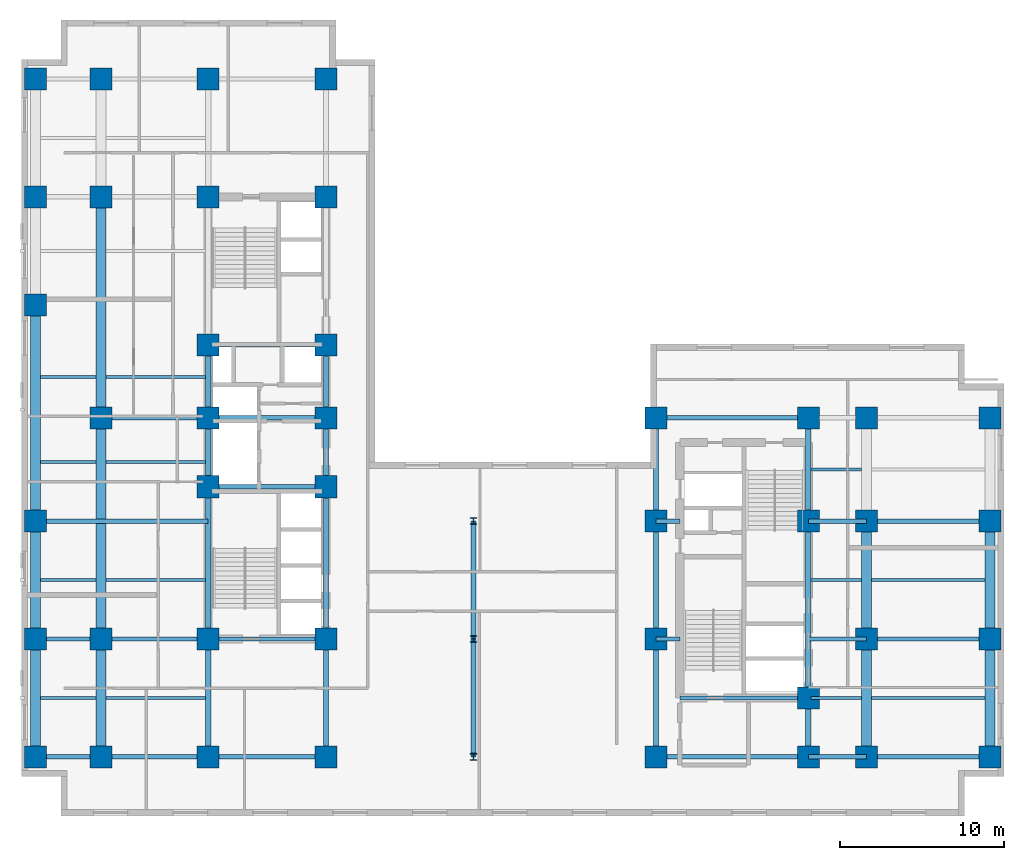
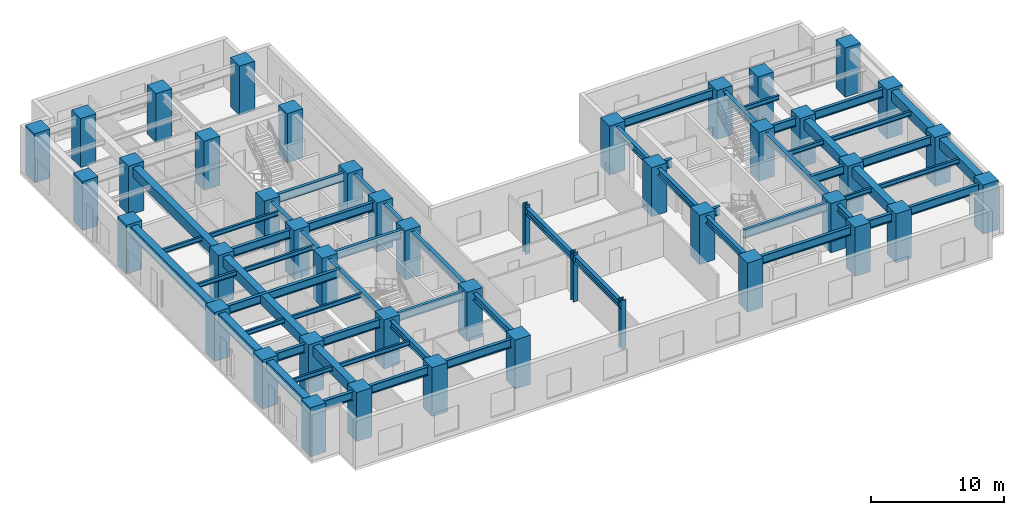
# One storey, part 1 of 9: 61 beams, 44 columns.
"""IFC4 building model written with IfcOpenShell, lengths in metres."""

from ifc_helpers import new_model, entity, si_unit, converted_unit, direction, frame, origin_with_axes, origin_2d_with_axis, place, context, subcontext, project, spatial, rectangle, i_section, extrude, material, material_profile, profile_set, type_object, element, save


model = new_model("IFC4")

# Units and contexts
model_context = context("Model", 3, precision=1e-05, world=origin_with_axes(), true_north=direction((0.0, 1.0)))
body_context = subcontext(model_context, "Body", "Model", "MODEL_VIEW")
ifc_project = project(units=[si_unit("LENGTHUNIT", "METRE"), si_unit("AREAUNIT", "SQUARE_METRE"), si_unit("VOLUMEUNIT", "CUBIC_METRE"), converted_unit("PLANEANGLEUNIT", "DEGREE", entity("IfcPlaneAngleMeasure", 0.017453292519943295), si_unit("PLANEANGLEUNIT", "RADIAN"), dimensions=[0, 0, 0, 0, 0, 0, 0]), si_unit("MASSUNIT", "GRAM", prefix="KILO"), si_unit("THERMODYNAMICTEMPERATUREUNIT", "KELVIN")], contexts=[model_context])

# Site, building, storey
site_placement = place(None, origin_with_axes())
site = spatial("IfcSite", under=ifc_project, at=site_placement, CompositionType="ELEMENT")
building_placement = place(site_placement, origin_with_axes())
building = spatial("IfcBuilding", under=site, at=building_placement, Name="Varnlund Millrace Tower", CompositionType="ELEMENT")
storey_placement = place(building_placement, frame((0.0, 0.0, 84.6), z_axis=(0.0, 0.0, 1.0), x_axis=(1.0, 0.0, 0.0)))
storey = spatial("IfcBuildingStorey", under=building, at=storey_placement, Name="L20", CompositionType="ELEMENT", Elevation=84.6)

# Columns
ifc_material_1 = material(Name="Steel ASTM A913 Grade 65", Category="steel")
ifc_material_profile_1 = material_profile(ifc_material_1, i_section(OverallWidth=0.406, OverallDepth=0.416, WebThickness=0.0298, FlangeThickness=0.048, FilletRadius=0.022, at=origin_2d_with_axis()), Name="Steel ASTM A913 Grade 65")
ifc_profile_set_1 = profile_set([ifc_material_profile_1], Name="Steel ASTM A913 Grade 65")
column_type_1 = type_object("IfcColumnType", Name="Type-Col-Int-W14X257", PredefinedType="COLUMN", material=ifc_profile_set_1)
for number, where, z_axis, x_axis, name in (
    (1, (27.6, 3.6, 0.0), (0.0, 0.0, 1.0), (1.0, 0.0, 0.0), "Type-Col-Int-W14X257"),
    (2, (27.6, 10.8, 0.0), (0.0, 0.0, 1.0), (1.0, 0.0, 0.0), "Type-Col-Int-W14X257"),
    (3, (27.6, 18.0, 0.0), (0.0, 0.0, 1.0), (1.0, 0.0, 0.0), "Type-Col-Int-W14X257"),
):
    element("IfcColumn", number, at=place(storey_placement, frame(where, z_axis=z_axis, x_axis=x_axis)), inside=storey, type_object=column_type_1, Name=name, PredefinedType="COLUMN", context=body_context, shape_type="SweptSolid", body=[
        extrude(i_section(OverallWidth=0.406, OverallDepth=0.416, WebThickness=0.0298, FlangeThickness=0.048, FilletRadius=0.022, at=origin_2d_with_axis()), origin_with_axes(), (0.0, 0.0, 1.0), 4.5),
    ])
ifc_material_2 = material(Name="Concrete C80/95", Category="concrete")
ifc_material_profile_2 = material_profile(ifc_material_2, rectangle(XDim=1.35, YDim=1.35, at=origin_2d_with_axis()), Name="Concrete C80/95")
ifc_profile_set_2 = profile_set([ifc_material_profile_2], Name="Concrete C80/95")
column_type_2 = type_object("IfcColumnType", Name="Type-Col-RC1350-C80", PredefinedType="COLUMN", material=ifc_profile_set_2)
for number, where, z_axis, x_axis, name in (
    (4, (11.4, 3.6, 0.0), (0.0, 0.0, 1.0), (1.0, 0.0, 0.0), "Type-Col-RC1350-C80"),
    (5, (11.4, 10.8, 0.0), (0.0, 0.0, 1.0), (1.0, 0.0, 0.0), "Type-Col-RC1350-C80"),
    (6, (11.4, 20.1, 0.0), (0.0, 0.0, 1.0), (1.0, 0.0, 0.0), "Type-Col-RC1350-C80"),
    (7, (11.4, 24.3, 0.0), (0.0, 0.0, 1.0), (1.0, 0.0, 0.0), "Type-Col-RC1350-C80"),
    (8, (11.4, 28.75, 0.0), (0.0, 0.0, 1.0), (1.0, 0.0, 0.0), "Type-Col-RC1350-C80"),
    (9, (11.4, 37.8, 0.0), (0.0, 0.0, 1.0), (1.0, 0.0, 0.0), "Type-Col-RC1350-C80"),
    (10, (11.4, 45.0, 0.0), (0.0, 0.0, 1.0), (1.0, 0.0, 0.0), "Type-Col-RC1350-C80"),
    (11, (18.6, 3.6, 0.0), (0.0, 0.0, 1.0), (1.0, 0.0, 0.0), "Type-Col-RC1350-C80"),
    (12, (18.6, 10.8, 0.0), (0.0, 0.0, 1.0), (1.0, 0.0, 0.0), "Type-Col-RC1350-C80"),
    (13, (18.6, 20.1, 0.0), (0.0, 0.0, 1.0), (1.0, 0.0, 0.0), "Type-Col-RC1350-C80"),
    (14, (18.6, 24.3, 0.0), (0.0, 0.0, 1.0), (1.0, 0.0, 0.0), "Type-Col-RC1350-C80"),
    (15, (18.6, 28.75, 0.0), (0.0, 0.0, 1.0), (1.0, 0.0, 0.0), "Type-Col-RC1350-C80"),
    (16, (18.6, 37.8, 0.0), (0.0, 0.0, 1.0), (1.0, 0.0, 0.0), "Type-Col-RC1350-C80"),
    (17, (18.6, 45.0, 0.0), (0.0, 0.0, 1.0), (1.0, 0.0, 0.0), "Type-Col-RC1350-C80"),
    (18, (4.85, 3.6, 0.0), (0.0, 0.0, 1.0), (1.0, 0.0, 0.0), "Type-Col-RC1350-C80"),
    (19, (4.85, 10.8, 0.0), (0.0, 0.0, 1.0), (1.0, 0.0, 0.0), "Type-Col-RC1350-C80"),
    (20, (4.85, 24.3, 0.0), (0.0, 0.0, 1.0), (1.0, 0.0, 0.0), "Type-Col-RC1350-C80"),
    (21, (4.85, 37.8, 0.0), (0.0, 0.0, 1.0), (1.0, 0.0, 0.0), "Type-Col-RC1350-C80"),
    (22, (4.85, 45.0, 0.0), (0.0, 0.0, 1.0), (1.0, 0.0, 0.0), "Type-Col-RC1350-C80"),
    (23, (0.85, 3.6, 0.0), (0.0, 0.0, 1.0), (1.0, 0.0, 0.0), "Type-Col-RC1350-C80"),
    (24, (0.85, 10.8, 0.0), (0.0, 0.0, 1.0), (1.0, 0.0, 0.0), "Type-Col-RC1350-C80"),
    (25, (0.85, 18.0, 0.0), (0.0, 0.0, 1.0), (1.0, 0.0, 0.0), "Type-Col-RC1350-C80"),
    (26, (0.85, 31.2, 0.0), (0.0, 0.0, 1.0), (1.0, 0.0, 0.0), "Type-Col-RC1350-C80"),
    (27, (0.85, 37.8, 0.0), (0.0, 0.0, 1.0), (1.0, 0.0, 0.0), "Type-Col-RC1350-C80"),
    (28, (0.85, 45.0, 0.0), (0.0, 0.0, 1.0), (1.0, 0.0, 0.0), "Type-Col-RC1350-C80"),
    (29, (38.75, 3.6, 0.0), (0.0, 0.0, 1.0), (1.0, 0.0, 0.0), "Type-Col-RC1350-C80"),
    (30, (38.75, 10.8, 0.0), (0.0, 0.0, 1.0), (1.0, 0.0, 0.0), "Type-Col-RC1350-C80"),
    (31, (38.75, 18.0, 0.0), (0.0, 0.0, 1.0), (1.0, 0.0, 0.0), "Type-Col-RC1350-C80"),
    (32, (38.75, 24.3, 0.0), (0.0, 0.0, 1.0), (1.0, 0.0, 0.0), "Type-Col-RC1350-C80"),
    (33, (48.05, 3.6, 0.0), (0.0, 0.0, 1.0), (1.0, 0.0, 0.0), "Type-Col-RC1350-C80"),
    (34, (48.05, 7.2, 0.0), (0.0, 0.0, 1.0), (1.0, 0.0, 0.0), "Type-Col-RC1350-C80"),
    (35, (48.05, 18.0, 0.0), (0.0, 0.0, 1.0), (1.0, 0.0, 0.0), "Type-Col-RC1350-C80"),
    (36, (48.05, 24.3, 0.0), (0.0, 0.0, 1.0), (1.0, 0.0, 0.0), "Type-Col-RC1350-C80"),
    (37, (51.6, 3.6, 0.0), (0.0, 0.0, 1.0), (1.0, 0.0, 0.0), "Type-Col-RC1350-C80"),
    (38, (51.6, 10.8, 0.0), (0.0, 0.0, 1.0), (1.0, 0.0, 0.0), "Type-Col-RC1350-C80"),
    (39, (51.6, 18.0, 0.0), (0.0, 0.0, 1.0), (1.0, 0.0, 0.0), "Type-Col-RC1350-C80"),
    (40, (51.6, 24.3, 0.0), (0.0, 0.0, 1.0), (1.0, 0.0, 0.0), "Type-Col-RC1350-C80"),
    (41, (59.15, 3.6, 0.0), (0.0, 0.0, 1.0), (1.0, 0.0, 0.0), "Type-Col-RC1350-C80"),
    (42, (59.15, 10.8, 0.0), (0.0, 0.0, 1.0), (1.0, 0.0, 0.0), "Type-Col-RC1350-C80"),
    (43, (59.15, 18.0, 0.0), (0.0, 0.0, 1.0), (1.0, 0.0, 0.0), "Type-Col-RC1350-C80"),
    (44, (59.15, 24.3, 0.0), (0.0, 0.0, 1.0), (1.0, 0.0, 0.0), "Type-Col-RC1350-C80"),
):
    element("IfcColumn", number, at=place(storey_placement, frame(where, z_axis=z_axis, x_axis=x_axis)), inside=storey, type_object=column_type_2, Name=name, PredefinedType="COLUMN", context=body_context, shape_type="SweptSolid", body=[
        extrude(rectangle(XDim=1.35, YDim=1.35, at=origin_2d_with_axis()), origin_with_axes(), (0.0, 0.0, 1.0), 4.5),
    ])

# Beams
ifc_material_3 = material(Name="Steel ASTM A992 Grade 50", Category="steel")
ifc_material_profile_3 = material_profile(ifc_material_3, i_section(OverallWidth=0.328, OverallDepth=0.628, WebThickness=0.0165, FlangeThickness=0.0277, FilletRadius=0.018, at=origin_2d_with_axis()), Name="Steel ASTM A992 Grade 50")
ifc_profile_set_3 = profile_set([ifc_material_profile_3], Name="Steel ASTM A992 Grade 50")
beam_type_1 = type_object("IfcBeamType", Name="Type-Girder-W24X146", PredefinedType="USERDEFINED", material=ifc_profile_set_3)
beam_1_placement = place(storey_placement, frame((11.4, 3.6, 3.946), z_axis=(0.0, 1.0, 0.0), x_axis=(-1.0, 0.0, 0.0)))
element("IfcBeam", 45, at=beam_1_placement, inside=storey, type_object=beam_type_1, Name="Type-Girder-W24X146", ObjectType="GIRDER", PredefinedType="USERDEFINED", context=body_context, shape_type="SweptSolid", body=[
    extrude(i_section(OverallWidth=0.328, OverallDepth=0.628, WebThickness=0.0165, FlangeThickness=0.0277, FilletRadius=0.018, at=origin_2d_with_axis()), origin_with_axes(), (0.0, 0.0, 1.0), 7.2),
])
beam_2_placement = place(storey_placement, frame((11.4, 10.8, 3.946), z_axis=(0.0, 1.0, 0.0), x_axis=(-1.0, 0.0, 0.0)))
element("IfcBeam", 46, at=beam_2_placement, inside=storey, type_object=beam_type_1, Name="Type-Girder-W24X146", ObjectType="GIRDER", PredefinedType="USERDEFINED", context=body_context, shape_type="SweptSolid", body=[
    extrude(i_section(OverallWidth=0.328, OverallDepth=0.628, WebThickness=0.0165, FlangeThickness=0.0277, FilletRadius=0.018, at=origin_2d_with_axis()), origin_with_axes(), (0.0, 0.0, 1.0), 9.3),
])
beam_3_placement = place(storey_placement, frame((11.4, 20.1, 3.946), z_axis=(0.0, 1.0, 0.0), x_axis=(-1.0, 0.0, 0.0)))
element("IfcBeam", 47, at=beam_3_placement, inside=storey, type_object=beam_type_1, Name="Type-Girder-W24X146", ObjectType="GIRDER", PredefinedType="USERDEFINED", context=body_context, shape_type="SweptSolid", body=[
    extrude(i_section(OverallWidth=0.328, OverallDepth=0.628, WebThickness=0.0165, FlangeThickness=0.0277, FilletRadius=0.018, at=origin_2d_with_axis()), origin_with_axes(), (0.0, 0.0, 1.0), 4.2),
])
beam_4_placement = place(storey_placement, frame((11.4, 24.3, 3.946), z_axis=(0.0, 1.0, 0.0), x_axis=(-1.0, 0.0, 0.0)))
element("IfcBeam", 48, at=beam_4_placement, inside=storey, type_object=beam_type_1, Name="Type-Girder-W24X146", ObjectType="GIRDER", PredefinedType="USERDEFINED", context=body_context, shape_type="SweptSolid", body=[
    extrude(i_section(OverallWidth=0.328, OverallDepth=0.628, WebThickness=0.0165, FlangeThickness=0.0277, FilletRadius=0.018, at=origin_2d_with_axis()), origin_with_axes(), (0.0, 0.0, 1.0), 4.45),
])
beam_5_placement = place(storey_placement, frame((18.6, 3.6, 3.946), z_axis=(0.0, 1.0, 0.0), x_axis=(-1.0, 0.0, 0.0)))
element("IfcBeam", 49, at=beam_5_placement, inside=storey, type_object=beam_type_1, Name="Type-Girder-W24X146", ObjectType="GIRDER", PredefinedType="USERDEFINED", context=body_context, shape_type="SweptSolid", body=[
    extrude(i_section(OverallWidth=0.328, OverallDepth=0.628, WebThickness=0.0165, FlangeThickness=0.0277, FilletRadius=0.018, at=origin_2d_with_axis()), origin_with_axes(), (0.0, 0.0, 1.0), 7.2),
])
beam_6_placement = place(storey_placement, frame((18.6, 10.8, 3.946), z_axis=(0.0, 1.0, 0.0), x_axis=(-1.0, 0.0, 0.0)))
element("IfcBeam", 50, at=beam_6_placement, inside=storey, type_object=beam_type_1, Name="Type-Girder-W24X146", ObjectType="GIRDER", PredefinedType="USERDEFINED", context=body_context, shape_type="SweptSolid", body=[
    extrude(i_section(OverallWidth=0.328, OverallDepth=0.628, WebThickness=0.0165, FlangeThickness=0.0277, FilletRadius=0.018, at=origin_2d_with_axis()), origin_with_axes(), (0.0, 0.0, 1.0), 9.3),
])
beam_7_placement = place(storey_placement, frame((18.6, 20.1, 3.946), z_axis=(0.0, 1.0, 0.0), x_axis=(-1.0, 0.0, 0.0)))
element("IfcBeam", 51, at=beam_7_placement, inside=storey, type_object=beam_type_1, Name="Type-Girder-W24X146", ObjectType="GIRDER", PredefinedType="USERDEFINED", context=body_context, shape_type="SweptSolid", body=[
    extrude(i_section(OverallWidth=0.328, OverallDepth=0.628, WebThickness=0.0165, FlangeThickness=0.0277, FilletRadius=0.018, at=origin_2d_with_axis()), origin_with_axes(), (0.0, 0.0, 1.0), 4.2),
])
beam_8_placement = place(storey_placement, frame((18.6, 24.3, 3.946), z_axis=(0.0, 1.0, 0.0), x_axis=(-1.0, 0.0, 0.0)))
element("IfcBeam", 52, at=beam_8_placement, inside=storey, type_object=beam_type_1, Name="Type-Girder-W24X146", ObjectType="GIRDER", PredefinedType="USERDEFINED", context=body_context, shape_type="SweptSolid", body=[
    extrude(i_section(OverallWidth=0.328, OverallDepth=0.628, WebThickness=0.0165, FlangeThickness=0.0277, FilletRadius=0.018, at=origin_2d_with_axis()), origin_with_axes(), (0.0, 0.0, 1.0), 4.45),
])
for number, where, z_axis, x_axis, name in (
    (53, (27.6, 3.6, 3.946), (0.0, 1.0, 0.0), (-1.0, 0.0, 0.0), "Type-Girder-W24X146"),
    (54, (27.6, 10.8, 3.946), (0.0, 1.0, 0.0), (-1.0, 0.0, 0.0), "Type-Girder-W24X146"),
    (55, (38.75, 3.6, 3.946), (0.0, 1.0, 0.0), (-1.0, 0.0, 0.0), "Type-Girder-W24X146"),
    (56, (38.75, 10.8, 3.946), (0.0, 1.0, 0.0), (-1.0, 0.0, 0.0), "Type-Girder-W24X146"),
):
    element("IfcBeam", number, at=place(storey_placement, frame(where, z_axis=z_axis, x_axis=x_axis)), inside=storey, type_object=beam_type_1, Name=name, ObjectType="GIRDER", PredefinedType="USERDEFINED", context=body_context, shape_type="SweptSolid", body=[
        extrude(i_section(OverallWidth=0.328, OverallDepth=0.628, WebThickness=0.0165, FlangeThickness=0.0277, FilletRadius=0.018, at=origin_2d_with_axis()), origin_with_axes(), (0.0, 0.0, 1.0), 7.2),
    ])
beam_9_placement = place(storey_placement, frame((38.75, 18.0, 3.946), z_axis=(0.0, 1.0, 0.0), x_axis=(-1.0, 0.0, 0.0)))
element("IfcBeam", 57, at=beam_9_placement, inside=storey, type_object=beam_type_1, Name="Type-Girder-W24X146", ObjectType="GIRDER", PredefinedType="USERDEFINED", context=body_context, shape_type="SweptSolid", body=[
    extrude(i_section(OverallWidth=0.328, OverallDepth=0.628, WebThickness=0.0165, FlangeThickness=0.0277, FilletRadius=0.018, at=origin_2d_with_axis()), origin_with_axes(), (0.0, 0.0, 1.0), 6.3),
])
beam_10_placement = place(storey_placement, frame((48.05, 3.6, 3.946), z_axis=(0.0, 1.0, 0.0), x_axis=(-1.0, 0.0, 0.0)))
element("IfcBeam", 58, at=beam_10_placement, inside=storey, type_object=beam_type_1, Name="Type-Girder-W24X146", ObjectType="GIRDER", PredefinedType="USERDEFINED", context=body_context, shape_type="SweptSolid", body=[
    extrude(i_section(OverallWidth=0.328, OverallDepth=0.628, WebThickness=0.0165, FlangeThickness=0.0277, FilletRadius=0.018, at=origin_2d_with_axis()), origin_with_axes(), (0.0, 0.0, 1.0), 3.6),
])
beam_11_placement = place(storey_placement, frame((48.05, 7.2, 3.946), z_axis=(0.0, 1.0, 0.0), x_axis=(-1.0, 0.0, 0.0)))
element("IfcBeam", 59, at=beam_11_placement, inside=storey, type_object=beam_type_1, Name="Type-Girder-W24X146", ObjectType="GIRDER", PredefinedType="USERDEFINED", context=body_context, shape_type="SweptSolid", body=[
    extrude(i_section(OverallWidth=0.328, OverallDepth=0.628, WebThickness=0.0165, FlangeThickness=0.0277, FilletRadius=0.018, at=origin_2d_with_axis()), origin_with_axes(), (0.0, 0.0, 1.0), 10.8),
])
beam_12_placement = place(storey_placement, frame((48.05, 18.0, 3.946), z_axis=(0.0, 1.0, 0.0), x_axis=(-1.0, 0.0, 0.0)))
element("IfcBeam", 60, at=beam_12_placement, inside=storey, type_object=beam_type_1, Name="Type-Girder-W24X146", ObjectType="GIRDER", PredefinedType="USERDEFINED", context=body_context, shape_type="SweptSolid", body=[
    extrude(i_section(OverallWidth=0.328, OverallDepth=0.628, WebThickness=0.0165, FlangeThickness=0.0277, FilletRadius=0.018, at=origin_2d_with_axis()), origin_with_axes(), (0.0, 0.0, 1.0), 6.3),
])
ifc_material_profile_4 = material_profile(ifc_material_3, i_section(OverallWidth=0.266, OverallDepth=0.779, WebThickness=0.0165, FlangeThickness=0.03, FilletRadius=0.02, at=origin_2d_with_axis()), Name="Steel ASTM A992 Grade 50")
ifc_profile_set_4 = profile_set([ifc_material_profile_4], Name="Steel ASTM A992 Grade 50")
beam_type_2 = type_object("IfcBeamType", Name="Type-Girder-W30X148", PredefinedType="USERDEFINED", material=ifc_profile_set_4)
beam_13_placement = place(storey_placement, frame((0.85, 3.6, 3.8705), z_axis=(1.0, 0.0, 0.0), x_axis=(0.0, 1.0, 0.0)))
element("IfcBeam", 61, at=beam_13_placement, inside=storey, type_object=beam_type_2, Name="Type-Girder-W30X148", ObjectType="GIRDER", PredefinedType="USERDEFINED", context=body_context, shape_type="SweptSolid", body=[
    extrude(i_section(OverallWidth=0.266, OverallDepth=0.779, WebThickness=0.0165, FlangeThickness=0.03, FilletRadius=0.02, at=origin_2d_with_axis()), origin_with_axes(), (0.0, 0.0, 1.0), 4.0),
])
beam_14_placement = place(storey_placement, frame((4.85, 3.6, 3.8705), z_axis=(1.0, 0.0, 0.0), x_axis=(0.0, 1.0, 0.0)))
element("IfcBeam", 62, at=beam_14_placement, inside=storey, type_object=beam_type_2, Name="Type-Girder-W30X148", ObjectType="GIRDER", PredefinedType="USERDEFINED", context=body_context, shape_type="SweptSolid", body=[
    extrude(i_section(OverallWidth=0.266, OverallDepth=0.779, WebThickness=0.0165, FlangeThickness=0.03, FilletRadius=0.02, at=origin_2d_with_axis()), origin_with_axes(), (0.0, 0.0, 1.0), 6.55),
])
beam_15_placement = place(storey_placement, frame((11.4, 3.6, 3.8705), z_axis=(1.0, 0.0, 0.0), x_axis=(0.0, 1.0, 0.0)))
element("IfcBeam", 63, at=beam_15_placement, inside=storey, type_object=beam_type_2, Name="Type-Girder-W30X148", ObjectType="GIRDER", PredefinedType="USERDEFINED", context=body_context, shape_type="SweptSolid", body=[
    extrude(i_section(OverallWidth=0.266, OverallDepth=0.779, WebThickness=0.0165, FlangeThickness=0.03, FilletRadius=0.02, at=origin_2d_with_axis()), origin_with_axes(), (0.0, 0.0, 1.0), 7.2),
])
beam_16_placement = place(storey_placement, frame((38.75, 3.6, 3.8705), z_axis=(1.0, 0.0, 0.0), x_axis=(0.0, 1.0, 0.0)))
element("IfcBeam", 64, at=beam_16_placement, inside=storey, type_object=beam_type_2, Name="Type-Girder-W30X148", ObjectType="GIRDER", PredefinedType="USERDEFINED", context=body_context, shape_type="SweptSolid", body=[
    extrude(i_section(OverallWidth=0.266, OverallDepth=0.779, WebThickness=0.0165, FlangeThickness=0.03, FilletRadius=0.02, at=origin_2d_with_axis()), origin_with_axes(), (0.0, 0.0, 1.0), 9.3),
])
beam_17_placement = place(storey_placement, frame((48.05, 3.6, 3.8705), z_axis=(1.0, 0.0, 0.0), x_axis=(0.0, 1.0, 0.0)))
element("IfcBeam", 65, at=beam_17_placement, inside=storey, type_object=beam_type_2, Name="Type-Girder-W30X148", ObjectType="GIRDER", PredefinedType="USERDEFINED", context=body_context, shape_type="SweptSolid", body=[
    extrude(i_section(OverallWidth=0.266, OverallDepth=0.779, WebThickness=0.0165, FlangeThickness=0.03, FilletRadius=0.02, at=origin_2d_with_axis()), origin_with_axes(), (0.0, 0.0, 1.0), 3.55),
])
beam_18_placement = place(storey_placement, frame((51.6, 3.6, 3.8705), z_axis=(1.0, 0.0, 0.0), x_axis=(0.0, 1.0, 0.0)))
element("IfcBeam", 66, at=beam_18_placement, inside=storey, type_object=beam_type_2, Name="Type-Girder-W30X148", ObjectType="GIRDER", PredefinedType="USERDEFINED", context=body_context, shape_type="SweptSolid", body=[
    extrude(i_section(OverallWidth=0.266, OverallDepth=0.779, WebThickness=0.0165, FlangeThickness=0.03, FilletRadius=0.02, at=origin_2d_with_axis()), origin_with_axes(), (0.0, 0.0, 1.0), 7.55),
])
beam_19_placement = place(storey_placement, frame((40.2, 7.2, 3.8705), z_axis=(1.0, 0.0, 0.0), x_axis=(0.0, 1.0, 0.0)))
element("IfcBeam", 67, at=beam_19_placement, inside=storey, type_object=beam_type_2, Name="Type-Girder-W30X148", ObjectType="GIRDER", PredefinedType="USERDEFINED", context=body_context, shape_type="SweptSolid", body=[
    extrude(i_section(OverallWidth=0.266, OverallDepth=0.779, WebThickness=0.0165, FlangeThickness=0.03, FilletRadius=0.02, at=origin_2d_with_axis()), origin_with_axes(), (0.0, 0.0, 1.0), 7.85),
])
beam_20_placement = place(storey_placement, frame((0.85, 10.8, 3.8705), z_axis=(1.0, 0.0, 0.0), x_axis=(0.0, 1.0, 0.0)))
element("IfcBeam", 68, at=beam_20_placement, inside=storey, type_object=beam_type_2, Name="Type-Girder-W30X148", ObjectType="GIRDER", PredefinedType="USERDEFINED", context=body_context, shape_type="SweptSolid", body=[
    extrude(i_section(OverallWidth=0.266, OverallDepth=0.779, WebThickness=0.0165, FlangeThickness=0.03, FilletRadius=0.02, at=origin_2d_with_axis()), origin_with_axes(), (0.0, 0.0, 1.0), 4.0),
])
beam_21_placement = place(storey_placement, frame((4.85, 10.8, 3.8705), z_axis=(1.0, 0.0, 0.0), x_axis=(0.0, 1.0, 0.0)))
element("IfcBeam", 69, at=beam_21_placement, inside=storey, type_object=beam_type_2, Name="Type-Girder-W30X148", ObjectType="GIRDER", PredefinedType="USERDEFINED", context=body_context, shape_type="SweptSolid", body=[
    extrude(i_section(OverallWidth=0.266, OverallDepth=0.779, WebThickness=0.0165, FlangeThickness=0.03, FilletRadius=0.02, at=origin_2d_with_axis()), origin_with_axes(), (0.0, 0.0, 1.0), 6.55),
])
beam_22_placement = place(storey_placement, frame((11.4, 10.8, 3.8705), z_axis=(1.0, 0.0, 0.0), x_axis=(0.0, 1.0, 0.0)))
element("IfcBeam", 70, at=beam_22_placement, inside=storey, type_object=beam_type_2, Name="Type-Girder-W30X148", ObjectType="GIRDER", PredefinedType="USERDEFINED", context=body_context, shape_type="SweptSolid", body=[
    extrude(i_section(OverallWidth=0.266, OverallDepth=0.779, WebThickness=0.0165, FlangeThickness=0.03, FilletRadius=0.02, at=origin_2d_with_axis()), origin_with_axes(), (0.0, 0.0, 1.0), 7.2),
])
beam_23_placement = place(storey_placement, frame((38.75, 10.8, 3.8705), z_axis=(1.0, 0.0, 0.0), x_axis=(0.0, 1.0, 0.0)))
element("IfcBeam", 71, at=beam_23_placement, inside=storey, type_object=beam_type_2, Name="Type-Girder-W30X148", ObjectType="GIRDER", PredefinedType="USERDEFINED", context=body_context, shape_type="SweptSolid", body=[
    extrude(i_section(OverallWidth=0.266, OverallDepth=0.779, WebThickness=0.0165, FlangeThickness=0.03, FilletRadius=0.02, at=origin_2d_with_axis()), origin_with_axes(), (0.0, 0.0, 1.0), 1.45),
])
beam_24_placement = place(storey_placement, frame((48.05, 10.8, 3.8705), z_axis=(1.0, 0.0, 0.0), x_axis=(0.0, 1.0, 0.0)))
element("IfcBeam", 72, at=beam_24_placement, inside=storey, type_object=beam_type_2, Name="Type-Girder-W30X148", ObjectType="GIRDER", PredefinedType="USERDEFINED", context=body_context, shape_type="SweptSolid", body=[
    extrude(i_section(OverallWidth=0.266, OverallDepth=0.779, WebThickness=0.0165, FlangeThickness=0.03, FilletRadius=0.02, at=origin_2d_with_axis()), origin_with_axes(), (0.0, 0.0, 1.0), 3.55),
])
beam_25_placement = place(storey_placement, frame((51.6, 10.8, 3.8705), z_axis=(1.0, 0.0, 0.0), x_axis=(0.0, 1.0, 0.0)))
element("IfcBeam", 73, at=beam_25_placement, inside=storey, type_object=beam_type_2, Name="Type-Girder-W30X148", ObjectType="GIRDER", PredefinedType="USERDEFINED", context=body_context, shape_type="SweptSolid", body=[
    extrude(i_section(OverallWidth=0.266, OverallDepth=0.779, WebThickness=0.0165, FlangeThickness=0.03, FilletRadius=0.02, at=origin_2d_with_axis()), origin_with_axes(), (0.0, 0.0, 1.0), 7.55),
])
beam_26_placement = place(storey_placement, frame((0.85, 18.0, 3.8705), z_axis=(1.0, 0.0, 0.0), x_axis=(0.0, 1.0, 0.0)))
element("IfcBeam", 74, at=beam_26_placement, inside=storey, type_object=beam_type_2, Name="Type-Girder-W30X148", ObjectType="GIRDER", PredefinedType="USERDEFINED", context=body_context, shape_type="SweptSolid", body=[
    extrude(i_section(OverallWidth=0.266, OverallDepth=0.779, WebThickness=0.0165, FlangeThickness=0.03, FilletRadius=0.02, at=origin_2d_with_axis()), origin_with_axes(), (0.0, 0.0, 1.0), 10.55),
])
beam_27_placement = place(storey_placement, frame((38.75, 18.0, 3.8705), z_axis=(1.0, 0.0, 0.0), x_axis=(0.0, 1.0, 0.0)))
element("IfcBeam", 75, at=beam_27_placement, inside=storey, type_object=beam_type_2, Name="Type-Girder-W30X148", ObjectType="GIRDER", PredefinedType="USERDEFINED", context=body_context, shape_type="SweptSolid", body=[
    extrude(i_section(OverallWidth=0.266, OverallDepth=0.779, WebThickness=0.0165, FlangeThickness=0.03, FilletRadius=0.02, at=origin_2d_with_axis()), origin_with_axes(), (0.0, 0.0, 1.0), 1.45),
])
beam_28_placement = place(storey_placement, frame((48.05, 18.0, 3.8705), z_axis=(1.0, 0.0, 0.0), x_axis=(0.0, 1.0, 0.0)))
element("IfcBeam", 76, at=beam_28_placement, inside=storey, type_object=beam_type_2, Name="Type-Girder-W30X148", ObjectType="GIRDER", PredefinedType="USERDEFINED", context=body_context, shape_type="SweptSolid", body=[
    extrude(i_section(OverallWidth=0.266, OverallDepth=0.779, WebThickness=0.0165, FlangeThickness=0.03, FilletRadius=0.02, at=origin_2d_with_axis()), origin_with_axes(), (0.0, 0.0, 1.0), 3.55),
])
beam_29_placement = place(storey_placement, frame((51.6, 18.0, 3.8705), z_axis=(1.0, 0.0, 0.0), x_axis=(0.0, 1.0, 0.0)))
element("IfcBeam", 77, at=beam_29_placement, inside=storey, type_object=beam_type_2, Name="Type-Girder-W30X148", ObjectType="GIRDER", PredefinedType="USERDEFINED", context=body_context, shape_type="SweptSolid", body=[
    extrude(i_section(OverallWidth=0.266, OverallDepth=0.779, WebThickness=0.0165, FlangeThickness=0.03, FilletRadius=0.02, at=origin_2d_with_axis()), origin_with_axes(), (0.0, 0.0, 1.0), 7.55),
])
beam_30_placement = place(storey_placement, frame((11.4, 20.1, 3.8705), z_axis=(1.0, 0.0, 0.0), x_axis=(0.0, 1.0, 0.0)))
element("IfcBeam", 78, at=beam_30_placement, inside=storey, type_object=beam_type_2, Name="Type-Girder-W30X148", ObjectType="GIRDER", PredefinedType="USERDEFINED", context=body_context, shape_type="SweptSolid", body=[
    extrude(i_section(OverallWidth=0.266, OverallDepth=0.779, WebThickness=0.0165, FlangeThickness=0.03, FilletRadius=0.02, at=origin_2d_with_axis()), origin_with_axes(), (0.0, 0.0, 1.0), 7.2),
])
beam_31_placement = place(storey_placement, frame((4.85, 24.3, 3.8705), z_axis=(1.0, 0.0, 0.0), x_axis=(0.0, 1.0, 0.0)))
element("IfcBeam", 79, at=beam_31_placement, inside=storey, type_object=beam_type_2, Name="Type-Girder-W30X148", ObjectType="GIRDER", PredefinedType="USERDEFINED", context=body_context, shape_type="SweptSolid", body=[
    extrude(i_section(OverallWidth=0.266, OverallDepth=0.779, WebThickness=0.0165, FlangeThickness=0.03, FilletRadius=0.02, at=origin_2d_with_axis()), origin_with_axes(), (0.0, 0.0, 1.0), 6.55),
])
beam_32_placement = place(storey_placement, frame((11.4, 24.3, 3.8705), z_axis=(1.0, 0.0, 0.0), x_axis=(0.0, 1.0, 0.0)))
element("IfcBeam", 80, at=beam_32_placement, inside=storey, type_object=beam_type_2, Name="Type-Girder-W30X148", ObjectType="GIRDER", PredefinedType="USERDEFINED", context=body_context, shape_type="SweptSolid", body=[
    extrude(i_section(OverallWidth=0.266, OverallDepth=0.779, WebThickness=0.0165, FlangeThickness=0.03, FilletRadius=0.02, at=origin_2d_with_axis()), origin_with_axes(), (0.0, 0.0, 1.0), 7.2),
])
beam_33_placement = place(storey_placement, frame((38.75, 24.3, 3.8705), z_axis=(1.0, 0.0, 0.0), x_axis=(0.0, 1.0, 0.0)))
element("IfcBeam", 81, at=beam_33_placement, inside=storey, type_object=beam_type_2, Name="Type-Girder-W30X148", ObjectType="GIRDER", PredefinedType="USERDEFINED", context=body_context, shape_type="SweptSolid", body=[
    extrude(i_section(OverallWidth=0.266, OverallDepth=0.779, WebThickness=0.0165, FlangeThickness=0.03, FilletRadius=0.02, at=origin_2d_with_axis()), origin_with_axes(), (0.0, 0.0, 1.0), 9.3),
])
beam_34_placement = place(storey_placement, frame((11.4, 28.75, 3.8705), z_axis=(1.0, 0.0, 0.0), x_axis=(0.0, 1.0, 0.0)))
element("IfcBeam", 82, at=beam_34_placement, inside=storey, type_object=beam_type_2, Name="Type-Girder-W30X148", ObjectType="GIRDER", PredefinedType="USERDEFINED", context=body_context, shape_type="SweptSolid", body=[
    extrude(i_section(OverallWidth=0.266, OverallDepth=0.779, WebThickness=0.0165, FlangeThickness=0.03, FilletRadius=0.02, at=origin_2d_with_axis()), origin_with_axes(), (0.0, 0.0, 1.0), 7.2),
])
ifc_material_profile_5 = material_profile(ifc_material_3, i_section(OverallWidth=0.181, OverallDepth=0.417, WebThickness=0.0109, FlangeThickness=0.0182, FilletRadius=0.013, at=origin_2d_with_axis()), Name="Steel ASTM A992 Grade 50")
ifc_profile_set_5 = profile_set([ifc_material_profile_5], Name="Steel ASTM A992 Grade 50")
beam_type_3 = type_object("IfcBeamType", Name="Type-Joist-W16X57", PredefinedType="JOIST", material=ifc_profile_set_5)
for number, where, z_axis, x_axis, name in (
    (83, (1.15, 7.2, 4.0515), (1.0, 0.0, 0.0), (0.0, 1.0, 0.0), "Type-Joist-W16X57"),
    (84, (1.15, 14.4, 4.0515), (1.0, 0.0, 0.0), (0.0, 1.0, 0.0), "Type-Joist-W16X57"),
    (85, (1.15, 21.6, 4.0515), (1.0, 0.0, 0.0), (0.0, 1.0, 0.0), "Type-Joist-W16X57"),
    (86, (1.15, 26.8, 4.0515), (1.0, 0.0, 0.0), (0.0, 1.0, 0.0), "Type-Joist-W16X57"),
):
    element("IfcBeam", number, at=place(storey_placement, frame(where, z_axis=z_axis, x_axis=x_axis)), inside=storey, type_object=beam_type_3, Name=name, PredefinedType="JOIST", context=body_context, shape_type="SweptSolid", body=[
        extrude(i_section(OverallWidth=0.181, OverallDepth=0.417, WebThickness=0.0109, FlangeThickness=0.0182, FilletRadius=0.013, at=origin_2d_with_axis()), origin_with_axes(), (0.0, 0.0, 1.0), 3.4),
    ])
for number, where, z_axis, x_axis, name in (
    (87, (5.15, 7.2, 4.0515), (1.0, 0.0, 0.0), (0.0, 1.0, 0.0), "Type-Joist-W16X57"),
    (88, (5.15, 14.4, 4.0515), (1.0, 0.0, 0.0), (0.0, 1.0, 0.0), "Type-Joist-W16X57"),
    (89, (5.15, 21.6, 4.0515), (1.0, 0.0, 0.0), (0.0, 1.0, 0.0), "Type-Joist-W16X57"),
    (90, (5.15, 26.8, 4.0515), (1.0, 0.0, 0.0), (0.0, 1.0, 0.0), "Type-Joist-W16X57"),
):
    element("IfcBeam", number, at=place(storey_placement, frame(where, z_axis=z_axis, x_axis=x_axis)), inside=storey, type_object=beam_type_3, Name=name, PredefinedType="JOIST", context=body_context, shape_type="SweptSolid", body=[
        extrude(i_section(OverallWidth=0.181, OverallDepth=0.417, WebThickness=0.0109, FlangeThickness=0.0182, FilletRadius=0.013, at=origin_2d_with_axis()), origin_with_axes(), (0.0, 0.0, 1.0), 6.086),
    ])
for number, where, z_axis, x_axis, name in (
    (91, (48.214, 7.2, 4.0515), (1.0, 0.0, 0.0), (0.0, 1.0, 0.0), "Type-Joist-W16X57"),
    (92, (48.214, 14.4, 4.0515), (1.0, 0.0, 0.0), (0.0, 1.0, 0.0), "Type-Joist-W16X57"),
    (93, (48.214, 21.15, 4.0515), (1.0, 0.0, 0.0), (0.0, 1.0, 0.0), "Type-Joist-W16X57"),
):
    element("IfcBeam", number, at=place(storey_placement, frame(where, z_axis=z_axis, x_axis=x_axis)), inside=storey, type_object=beam_type_3, Name=name, PredefinedType="JOIST", context=body_context, shape_type="SweptSolid", body=[
        extrude(i_section(OverallWidth=0.181, OverallDepth=0.417, WebThickness=0.0109, FlangeThickness=0.0182, FilletRadius=0.013, at=origin_2d_with_axis()), origin_with_axes(), (0.0, 0.0, 1.0), 3.086),
    ])
for number, where, z_axis, x_axis, name in (
    (94, (51.9, 7.2, 4.0515), (1.0, 0.0, 0.0), (0.0, 1.0, 0.0), "Type-Joist-W16X57"),
    (95, (51.9, 14.4, 4.0515), (1.0, 0.0, 0.0), (0.0, 1.0, 0.0), "Type-Joist-W16X57"),
):
    element("IfcBeam", number, at=place(storey_placement, frame(where, z_axis=z_axis, x_axis=x_axis)), inside=storey, type_object=beam_type_3, Name=name, PredefinedType="JOIST", context=body_context, shape_type="SweptSolid", body=[
        extrude(i_section(OverallWidth=0.181, OverallDepth=0.417, WebThickness=0.0109, FlangeThickness=0.0182, FilletRadius=0.013, at=origin_2d_with_axis()), origin_with_axes(), (0.0, 0.0, 1.0), 6.95),
    ])
ifc_material_4 = material(Name="Concrete C70/85", Category="concrete")
ifc_material_profile_6 = material_profile(ifc_material_4, rectangle(XDim=0.6, YDim=0.9, at=origin_2d_with_axis()), Name="Concrete C70/85")
ifc_profile_set_6 = profile_set([ifc_material_profile_6], Name="Concrete C70/85")
beam_type_4 = type_object("IfcBeamType", Name="Type-Spandrel-RC600X900", PredefinedType="SPANDREL", material=ifc_profile_set_6)
for number, where, z_axis, x_axis, name in (
    (96, (0.85, 3.6, 3.81), (0.0, 1.0, 0.0), (-1.0, 0.0, 0.0), "Type-Spandrel-RC600X900"),
    (97, (0.85, 10.8, 3.81), (0.0, 1.0, 0.0), (-1.0, 0.0, 0.0), "Type-Spandrel-RC600X900"),
):
    element("IfcBeam", number, at=place(storey_placement, frame(where, z_axis=z_axis, x_axis=x_axis)), inside=storey, type_object=beam_type_4, Name=name, PredefinedType="SPANDREL", context=body_context, shape_type="SweptSolid", body=[
        extrude(rectangle(XDim=0.6, YDim=0.9, at=origin_2d_with_axis()), origin_with_axes(), (0.0, 0.0, 1.0), 7.2),
    ])
beam_35_placement = place(storey_placement, frame((0.85, 18.0, 3.81), z_axis=(0.0, 1.0, 0.0), x_axis=(-1.0, 0.0, 0.0)))
element("IfcBeam", 98, at=beam_35_placement, inside=storey, type_object=beam_type_4, Name="Type-Spandrel-RC600X900", PredefinedType="SPANDREL", context=body_context, shape_type="SweptSolid", body=[
    extrude(rectangle(XDim=0.6, YDim=0.9, at=origin_2d_with_axis()), origin_with_axes(), (0.0, 0.0, 1.0), 13.2),
])
beam_36_placement = place(storey_placement, frame((4.85, 3.6, 3.81), z_axis=(0.0, 1.0, 0.0), x_axis=(-1.0, 0.0, 0.0)))
element("IfcBeam", 99, at=beam_36_placement, inside=storey, type_object=beam_type_4, Name="Type-Spandrel-RC600X900", PredefinedType="SPANDREL", context=body_context, shape_type="SweptSolid", body=[
    extrude(rectangle(XDim=0.6, YDim=0.9, at=origin_2d_with_axis()), origin_with_axes(), (0.0, 0.0, 1.0), 7.2),
])
for number, where, z_axis, x_axis, name in (
    (100, (4.85, 10.8, 3.81), (0.0, 1.0, 0.0), (-1.0, 0.0, 0.0), "Type-Spandrel-RC600X900"),
    (101, (4.85, 24.3, 3.81), (0.0, 1.0, 0.0), (-1.0, 0.0, 0.0), "Type-Spandrel-RC600X900"),
):
    element("IfcBeam", number, at=place(storey_placement, frame(where, z_axis=z_axis, x_axis=x_axis)), inside=storey, type_object=beam_type_4, Name=name, PredefinedType="SPANDREL", context=body_context, shape_type="SweptSolid", body=[
        extrude(rectangle(XDim=0.6, YDim=0.9, at=origin_2d_with_axis()), origin_with_axes(), (0.0, 0.0, 1.0), 13.5),
    ])
for number, where, z_axis, x_axis, name in (
    (102, (51.6, 3.6, 3.81), (0.0, 1.0, 0.0), (-1.0, 0.0, 0.0), "Type-Spandrel-RC600X900"),
    (103, (51.6, 10.8, 3.81), (0.0, 1.0, 0.0), (-1.0, 0.0, 0.0), "Type-Spandrel-RC600X900"),
    (104, (59.15, 3.6, 3.81), (0.0, 1.0, 0.0), (-1.0, 0.0, 0.0), "Type-Spandrel-RC600X900"),
    (105, (59.15, 10.8, 3.81), (0.0, 1.0, 0.0), (-1.0, 0.0, 0.0), "Type-Spandrel-RC600X900"),
):
    element("IfcBeam", number, at=place(storey_placement, frame(where, z_axis=z_axis, x_axis=x_axis)), inside=storey, type_object=beam_type_4, Name=name, PredefinedType="SPANDREL", context=body_context, shape_type="SweptSolid", body=[
        extrude(rectangle(XDim=0.6, YDim=0.9, at=origin_2d_with_axis()), origin_with_axes(), (0.0, 0.0, 1.0), 7.2),
    ])

save(model, "model.ifc")
